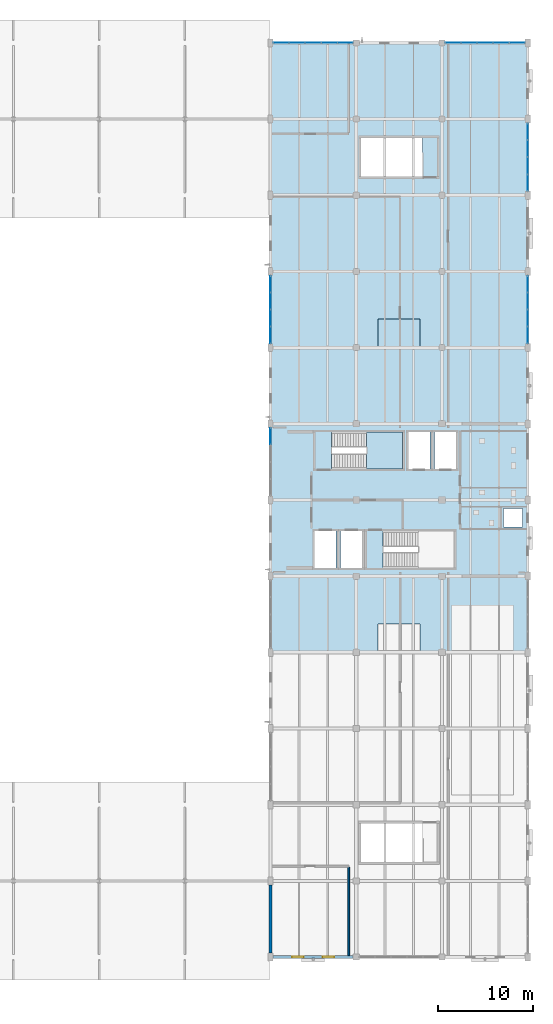
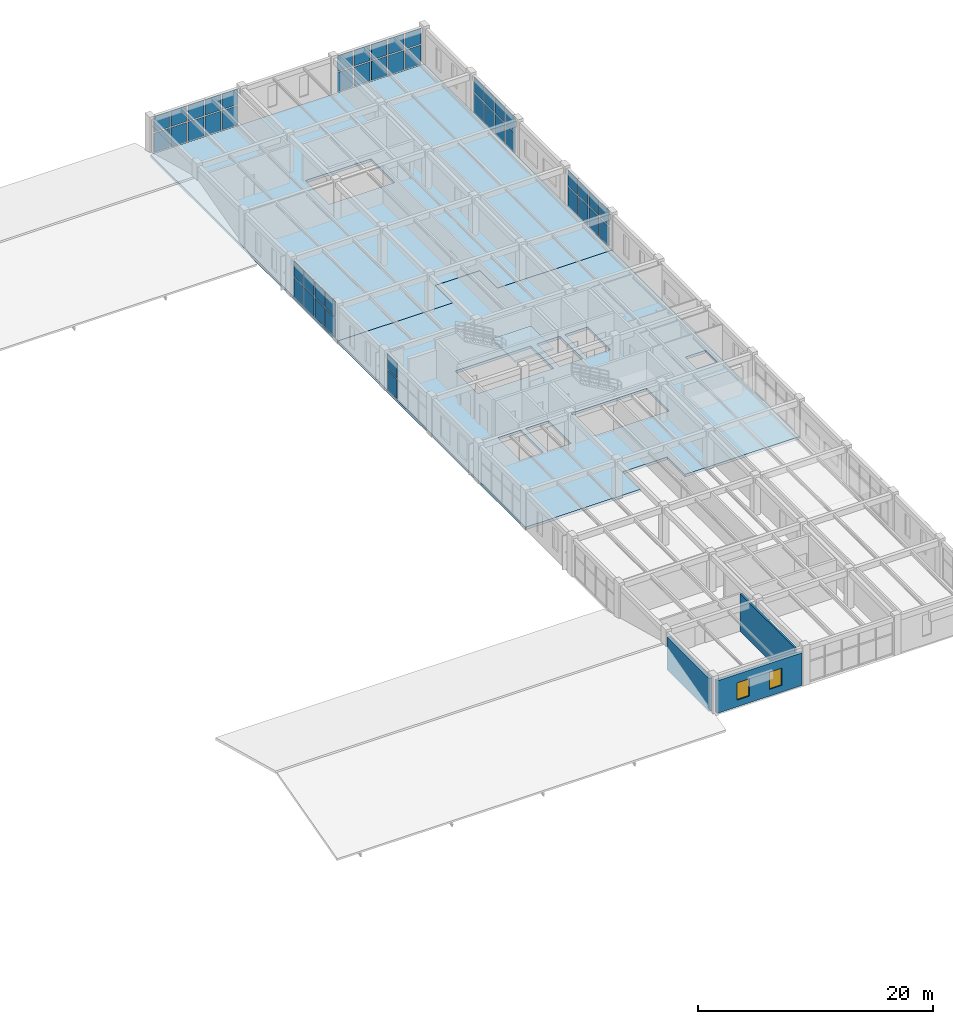
# One storey, part 57 of 71: 46 plates, 3 slabs, 3 walls, 2 windows, 2 openings, 7 elements without a shape of their own.
"""IFC4 building model written with IfcOpenShell, lengths in metres."""

import ifcopenshell
import ifcopenshell.guid

model = None  # the IFC model being written
_history = None  # IfcOwnerHistory: only IFC2X3 demands one
_inside = {}  # id of a spatial element -> (the spatial element, [elements in it])
_under = {}  # id of a project, library or spatial element -> (it, [spatial elements below it])
_declared = {}  # id of a project -> (the project, [libraries it declares])
_typed = {}  # id of a type object -> (the type object, [elements of that type])
_made_of = {}  # id of a material, layer set ... -> (it, [elements and type objects made of it])


def new_model(schema):
    """Start an empty IFC model of exactly this schema.

    Asked for "IFC4X3", IfcOpenShell would pick the latest addendum, in which some entities
    have other attributes; the version numbers below select the first issue.
    IFC2X3 requires an IfcOwnerHistory on every rooted entity: one is made here for all.
    """
    global model, _history
    if schema == "IFC4X3":
        model = ifcopenshell.file(schema_version=(4, 3, 0, 0))
    else:
        model = ifcopenshell.file(schema=schema)
    _inside.clear()
    _under.clear()
    _declared.clear()
    _typed.clear()
    _made_of.clear()
    _history = None
    if model.schema == "IFC2X3":
        org = make("IfcOrganization", Name="unknown")
        user = make(
            "IfcPersonAndOrganization",
            ThePerson=make("IfcPerson", FamilyName="unknown"),
            TheOrganization=org,
        )
        app = make(
            "IfcApplication",
            ApplicationDeveloper=org,
            Version="unknown",
            ApplicationFullName="unknown",
            ApplicationIdentifier="unknown",
        )
        _history = make(
            "IfcOwnerHistory",
            OwningUser=user,
            OwningApplication=app,
            ChangeAction="ADDED",
            CreationDate=0,
        )
    return model


def make(cls, **values):
    """One entity of the class cls with the attributes given. An attribute that is None is left unset."""
    return model.create_entity(
        cls, **{name: value for name, value in values.items() if value is not None}
    )


def rooted(cls, **values):
    """An entity with a GlobalId (a new one), such as an element, a storey or a relation."""
    return make(cls, GlobalId=ifcopenshell.guid.new(), OwnerHistory=_history, **values)


def si_unit(unit_type, name, prefix=None):
    """IfcSIUnit, for example si_unit("LENGTHUNIT", "METRE", prefix="MILLI")."""
    return make("IfcSIUnit", UnitType=unit_type, Prefix=prefix, Name=name)


def derived_unit(unit_type, elements):
    """IfcDerivedUnit: a product of units, each with its exponent."""
    return make(
        "IfcDerivedUnit",
        Elements=[
            make("IfcDerivedUnitElement", Unit=unit, Exponent=power)
            for unit, power in elements
        ],
        UnitType=unit_type,
    )


def assignment(units):
    """IfcUnitAssignment: the units of a project."""
    return None if units is None else make("IfcUnitAssignment", Units=units)


def point(xyz):
    """IfcCartesianPoint."""
    return None if xyz is None else make("IfcCartesianPoint", Coordinates=xyz)


def direction(xyz):
    """IfcDirection."""
    return None if xyz is None else make("IfcDirection", DirectionRatios=xyz)


def frame(location, z_axis=None, x_axis=None):
    """IfcAxis2Placement3D, a coordinate frame: its origin and axes. An axis left out is left unset."""
    return make(
        "IfcAxis2Placement3D",
        Location=point(location),
        Axis=direction(z_axis),
        RefDirection=direction(x_axis),
    )


def frame_2d(location, x_axis=None):
    """IfcAxis2Placement2D, a coordinate frame in the plane: its origin and x axis."""
    return make(
        "IfcAxis2Placement2D", Location=point(location), RefDirection=direction(x_axis)
    )


def origin():
    """The frame at (0, 0, 0) with its axes left unset."""
    return frame((0.0, 0.0, 0.0))


def origin_2d():
    """The frame at (0, 0) in the plane with its x axis left unset."""
    return frame_2d((0.0, 0.0))


def place(relative_to, where):
    """IfcLocalPlacement: puts the frame where relative to a parent placement (None: the world)."""
    return make(
        "IfcLocalPlacement", PlacementRelTo=relative_to, RelativePlacement=where
    )


def context(
    kind, dimensions, precision=None, world=None, true_north=None, identifier=None
):
    """IfcGeometricRepresentationContext, for example the 3D "Model" context."""
    return make(
        "IfcGeometricRepresentationContext",
        ContextIdentifier=identifier,
        ContextType=kind,
        CoordinateSpaceDimension=dimensions,
        Precision=precision,
        WorldCoordinateSystem=world,
        TrueNorth=true_north,
    )


def subcontext(parent, identifier, kind, view, scale=None):
    """IfcGeometricRepresentationSubContext, for example "Body" below "Model"."""
    return make(
        "IfcGeometricRepresentationSubContext",
        ContextIdentifier=identifier,
        ContextType=kind,
        ParentContext=parent,
        TargetScale=scale,
        TargetView=view,
    )


def project(units=None, contexts=None):
    """IfcProject with its units and contexts."""
    return rooted(
        "IfcProject",
        Name="project",
        RepresentationContexts=contexts,
        UnitsInContext=assignment(units),
    )


def spatial(cls, under=None, at=None, **own):
    """A site, building, storey or space (cls), placed at a placement, below another one or the project."""
    s = rooted(cls, ObjectPlacement=at, **own)
    if under is not None:
        _under.setdefault(under.id(), (under, []))[1].append(s)
    return s


def polyline(points):
    """IfcPolyline through the points."""
    return make("IfcPolyline", Points=[point(p) for p in points])


def profile(cls, at=None, kind="AREA", **sizes):
    """A parametric profile (cls). Its sizes go by their IFC names, for example OverallWidth=200.0."""
    return make(cls, ProfileType=kind, Position=at, **sizes)


def rectangle(**sizes):
    """IfcRectangleProfileDef."""
    return profile("IfcRectangleProfileDef", **sizes)


def outline(outer, holes=None, kind="AREA"):
    """IfcArbitraryClosedProfileDef: a profile drawn as a closed curve; with holes, ...WithVoids."""
    if holes is None:
        return make("IfcArbitraryClosedProfileDef", ProfileType=kind, OuterCurve=outer)
    return make(
        "IfcArbitraryProfileDefWithVoids",
        ProfileType=kind,
        OuterCurve=outer,
        InnerCurves=holes,
    )


def extrude(swept, where, along, depth):
    """IfcExtrudedAreaSolid: the profile swept, set in the frame where, extruded along a direction by depth."""
    return make(
        "IfcExtrudedAreaSolid",
        SweptArea=swept,
        Position=where,
        ExtrudedDirection=direction(along),
        Depth=depth,
    )


def shape(context_of_items, identifier, shape_type, items):
    """IfcShapeRepresentation: the items that make up one representation, for example the "Body"."""
    return make(
        "IfcShapeRepresentation",
        ContextOfItems=context_of_items,
        RepresentationIdentifier=identifier,
        RepresentationType=shape_type,
        Items=items,
    )


def material(Name=None, Category=None):
    """IfcMaterial."""
    return make("IfcMaterial", Name=Name, Category=Category)


def layer(
    of_material, thickness, ventilated=None, Name=None, Category=None, Priority=None
):
    """IfcMaterialLayer: one layer of a wall or slab, of a material (None: an air gap)."""
    return make(
        "IfcMaterialLayer",
        Material=of_material,
        LayerThickness=thickness,
        IsVentilated=ventilated,
        Name=Name,
        Category=Category,
        Priority=Priority,
    )


def layer_set(layers, Name=None):
    """IfcMaterialLayerSet."""
    return make("IfcMaterialLayerSet", MaterialLayers=layers, LayerSetName=Name)


def made_of(thing, what):
    """Note that an element or type object is made of a material, layer set ...; save() writes the relation."""
    if what is not None:
        _made_of.setdefault(what.id(), (what, []))[1].append(thing)
    return thing


def type_object(cls, material=None, **own):
    """A type object (cls), such as IfcWallType, which elements share."""
    return made_of(rooted(cls, **own), material)


def element(
    cls,
    number,
    at=None,
    inside=None,
    cuts=None,
    type_object=None,
    material=None,
    context=None,
    identifier="Body",
    shape_type=None,
    held_by="IfcProductDefinitionShape",
    body=None,
    shapes=None,
    **own,
):
    """One element of the class cls, such as IfcWall. Its Tag is "e" and its number.

    at: its placement. inside: the storey or other place that contains it. cuts: it is an
    opening in that element (IfcRelVoidsElement). A single representation is given by context,
    identifier, shape_type and body (its items); several are given by shapes. held_by: the class
    of the entity that holds the representations. save() writes the other relations.
    """
    e = rooted(cls, Tag="e%d" % number, ObjectPlacement=at, **own)
    if body is not None:
        shapes = [shape(context, identifier, shape_type, body)]
    if shapes is not None:
        e.Representation = make(held_by, Representations=shapes)
    if inside is not None:
        _inside.setdefault(inside.id(), (inside, []))[1].append(e)
    if cuts is not None:
        rooted(
            "IfcRelVoidsElement", RelatingBuildingElement=cuts, RelatedOpeningElement=e
        )
    if type_object is not None:
        _typed.setdefault(type_object.id(), (type_object, []))[1].append(e)
    return made_of(e, material)


def fill(opening, filler):
    """IfcRelFillsElement: the door or window that sits in an opening."""
    return rooted(
        "IfcRelFillsElement",
        RelatingOpeningElement=opening,
        RelatedBuildingElement=filler,
    )


def aggregate(whole, parts):
    """IfcRelAggregates: a whole, such as a stair, and the parts it consists of."""
    return rooted("IfcRelAggregates", RelatingObject=whole, RelatedObjects=parts)


def save(model, path):
    """Write the relations noted so far, then the file.

    IfcRelAggregates (storeys below a building ...), IfcRelContainedInSpatialStructure (elements
    in a storey), IfcRelDefinesByType, IfcRelAssociatesMaterial and IfcRelDeclares: one each for
    every whole, place, type object, material and project.
    """
    for whole, parts in _under.values():
        aggregate(whole, parts)
    for where, things in _inside.values():
        rooted(
            "IfcRelContainedInSpatialStructure",
            RelatedElements=things,
            RelatingStructure=where,
        )
    for kind, things in _typed.values():
        rooted("IfcRelDefinesByType", RelatedObjects=things, RelatingType=kind)
    for what, things in _made_of.values():
        rooted("IfcRelAssociatesMaterial", RelatedObjects=things, RelatingMaterial=what)
    for by, libraries in _declared.values():
        rooted("IfcRelDeclares", RelatingContext=by, RelatedDefinitions=libraries)
    model.write(path)


model = new_model("IFC4")

# Units and contexts
model_context = context("Model", 3, precision=1e-05, world=origin(), true_north=direction((0.0, 1.0)))
body_context = subcontext(model_context, "Body", "Model", "MODEL_VIEW")
ifc_project = project(units=[si_unit("LENGTHUNIT", "METRE"), si_unit("AREAUNIT", "SQUARE_METRE"), si_unit("VOLUMEUNIT", "CUBIC_METRE"), si_unit("PLANEANGLEUNIT", "RADIAN"), si_unit("MASSUNIT", "GRAM", prefix="KILO"), derived_unit("THERMALTRANSMITTANCEUNIT", [(si_unit("MASSUNIT", "GRAM", prefix="KILO"), 1), (si_unit("TIMEUNIT", "SECOND"), -3), (si_unit("THERMODYNAMICTEMPERATUREUNIT", "KELVIN"), -1)])], contexts=[model_context])

# Site, building, storey
site_placement = place(None, origin())
site = spatial("IfcSite", under=ifc_project, at=site_placement, CompositionType="ELEMENT")
building_placement = place(site_placement, origin())
building = spatial("IfcBuilding", under=site, at=building_placement, Name="Zhenchuan Archway Interchange", CompositionType="ELEMENT")
storey_placement = place(building_placement, frame((0.0, 0.0, 18.60009765625)))
storey = spatial("IfcBuildingStorey", under=building, at=storey_placement, Name="L04", CompositionType="ELEMENT", Elevation=18.60009765625)

# Curtain wall, plates
ifc_material_1 = material(Name="Anodised Aluminium", Category="aluminium")
curtain_wall_type_1 = type_object("IfcCurtainWallType", Name="CW_UNIT_2", PredefinedType="NOTDEFINED", material=ifc_material_1)
curtain_wall_1_placement = place(storey_placement, origin())
curtain_wall_1 = element("IfcCurtainWall", 1, at=curtain_wall_1_placement, inside=storey, type_object=curtain_wall_type_1, Name="Unitised curtain wall CW:L04:193", PredefinedType="NOTDEFINED")
ifc_material_2 = material(Name="Double Low-E Insulated Glazing", Category="glass")
ifc_layer_1 = layer(ifc_material_2, 0.028076171875)
ifc_layer_set_1 = layer_set([ifc_layer_1], Name="Double Low-E Insulated Glazing")
plate_type_1 = type_object("IfcPlateType", Name="CW_GLZ_1", PredefinedType="CURTAIN_PANEL", material=ifc_layer_set_1)
plate_1_placement = place(storey_placement, frame((145.099365234375, 104.0, 0.079833984375), z_axis=(0.0, 0.0, 1.0), x_axis=(1.0, 0.0, 0.0)))
plate_1 = element("IfcPlate", 2, at=plate_1_placement, type_object=plate_type_1, Name="CW:L04:193 lower glazing panel 0", PredefinedType="CURTAIN_PANEL", context=body_context, shape_type="SweptSolid", body=[
    extrude(rectangle(XDim=1.53271484375, YDim=0.028076171875, at=origin_2d()), origin(), (0.0, 0.0, 1.0), 2.01611328125),
])
plate_2_placement = place(storey_placement, frame((146.7822265625, 104.0, 0.079833984375), z_axis=(0.0, 0.0, 1.0), x_axis=(1.0, 0.0, 0.0)))
plate_2 = element("IfcPlate", 3, at=plate_2_placement, type_object=plate_type_1, Name="CW:L04:193 lower glazing panel 1", PredefinedType="CURTAIN_PANEL", context=body_context, shape_type="SweptSolid", body=[
    extrude(rectangle(XDim=1.552734375, YDim=0.028076171875, at=origin_2d()), origin(), (0.0, 0.0, 1.0), 2.01611328125),
])
plate_3_placement = place(storey_placement, frame((148.47509765625, 104.0, 0.079833984375), z_axis=(0.0, 0.0, 1.0), x_axis=(1.0, 0.0, 0.0)))
plate_3 = element("IfcPlate", 4, at=plate_3_placement, type_object=plate_type_1, Name="CW:L04:193 lower glazing panel 2", PredefinedType="CURTAIN_PANEL", context=body_context, shape_type="SweptSolid", body=[
    extrude(rectangle(XDim=1.552734375, YDim=0.028076171875, at=origin_2d()), origin(), (0.0, 0.0, 1.0), 2.01611328125),
])
plate_4_placement = place(storey_placement, frame((150.167724609375, 104.0, 0.079833984375), z_axis=(0.0, 0.0, 1.0), x_axis=(1.0, 0.0, 0.0)))
plate_4 = element("IfcPlate", 5, at=plate_4_placement, type_object=plate_type_1, Name="CW:L04:193 lower glazing panel 3", PredefinedType="CURTAIN_PANEL", context=body_context, shape_type="SweptSolid", body=[
    extrude(rectangle(XDim=1.552734375, YDim=0.028076171875, at=origin_2d()), origin(), (0.0, 0.0, 1.0), 2.01611328125),
])
plate_5_placement = place(storey_placement, frame((151.8505859375, 104.0, 0.079833984375), z_axis=(0.0, 0.0, 1.0), x_axis=(1.0, 0.0, 0.0)))
plate_5 = element("IfcPlate", 6, at=plate_5_placement, type_object=plate_type_1, Name="CW:L04:193 lower glazing panel 4", PredefinedType="CURTAIN_PANEL", context=body_context, shape_type="SweptSolid", body=[
    extrude(rectangle(XDim=1.53271484375, YDim=0.028076171875, at=origin_2d()), origin(), (0.0, 0.0, 1.0), 2.01611328125),
])

curtain_wall_type_2 = type_object("IfcCurtainWallType", Name="CW_UNIT_3", PredefinedType="NOTDEFINED", material=ifc_material_1)
curtain_wall_2_placement = place(storey_placement, origin())
curtain_wall_2 = element("IfcCurtainWall", 7, at=curtain_wall_2_placement, inside=storey, type_object=curtain_wall_type_2, Name="Unitised curtain wall CW:L04:194", PredefinedType="NOTDEFINED")
plate_6_placement = place(storey_placement, frame((163.1494140625, 104.0, 0.079833984375), z_axis=(0.0, 0.0, 1.0), x_axis=(1.0, 0.0, 0.0)))
plate_6 = element("IfcPlate", 8, at=plate_6_placement, type_object=plate_type_1, Name="CW:L04:194 lower glazing panel 0", PredefinedType="CURTAIN_PANEL", context=body_context, shape_type="SweptSolid", body=[
    extrude(rectangle(XDim=1.53271484375, YDim=0.028076171875, at=origin_2d()), origin(), (0.0, 0.0, 1.0), 2.01611328125),
])
plate_7_placement = place(storey_placement, frame((164.832275390625, 104.0, 0.079833984375), z_axis=(0.0, 0.0, 1.0), x_axis=(1.0, 0.0, 0.0)))
plate_7 = element("IfcPlate", 9, at=plate_7_placement, type_object=plate_type_1, Name="CW:L04:194 lower glazing panel 1", PredefinedType="CURTAIN_PANEL", context=body_context, shape_type="SweptSolid", body=[
    extrude(rectangle(XDim=1.552734375, YDim=0.028076171875, at=origin_2d()), origin(), (0.0, 0.0, 1.0), 2.01611328125),
])
plate_8_placement = place(storey_placement, frame((166.52490234375, 104.0, 0.079833984375), z_axis=(0.0, 0.0, 1.0), x_axis=(1.0, 0.0, 0.0)))
plate_8 = element("IfcPlate", 10, at=plate_8_placement, type_object=plate_type_1, Name="CW:L04:194 lower glazing panel 2", PredefinedType="CURTAIN_PANEL", context=body_context, shape_type="SweptSolid", body=[
    extrude(rectangle(XDim=1.552734375, YDim=0.028076171875, at=origin_2d()), origin(), (0.0, 0.0, 1.0), 2.01611328125),
])
plate_9_placement = place(storey_placement, frame((168.2177734375, 104.0, 0.079833984375), z_axis=(0.0, 0.0, 1.0), x_axis=(1.0, 0.0, 0.0)))
plate_9 = element("IfcPlate", 11, at=plate_9_placement, type_object=plate_type_1, Name="CW:L04:194 lower glazing panel 3", PredefinedType="CURTAIN_PANEL", context=body_context, shape_type="SweptSolid", body=[
    extrude(rectangle(XDim=1.552734375, YDim=0.028076171875, at=origin_2d()), origin(), (0.0, 0.0, 1.0), 2.01611328125),
])
plate_10_placement = place(storey_placement, frame((169.900634765625, 104.0, 0.079833984375), z_axis=(0.0, 0.0, 1.0), x_axis=(1.0, 0.0, 0.0)))
plate_10 = element("IfcPlate", 12, at=plate_10_placement, type_object=plate_type_1, Name="CW:L04:194 lower glazing panel 4", PredefinedType="CURTAIN_PANEL", context=body_context, shape_type="SweptSolid", body=[
    extrude(rectangle(XDim=1.53271484375, YDim=0.028076171875, at=origin_2d()), origin(), (0.0, 0.0, 1.0), 2.01611328125),
])

# Plate
ifc_layer_2 = layer(ifc_material_2, 0.02587890625)
ifc_layer_set_2 = layer_set([ifc_layer_2], Name="Double Low-E Insulated Glazing")
plate_type_2 = type_object("IfcPlateType", Name="CW_GLZ_2", PredefinedType="CURTAIN_PANEL", material=ifc_layer_set_2)
plate_11_placement = place(storey_placement, frame((145.099365234375, 104.0, 2.2158203125), z_axis=(0.0, 0.0, 1.0), x_axis=(1.0, 0.0, 0.0)))
plate_11 = element("IfcPlate", 13, at=plate_11_placement, type_object=plate_type_2, Name="CW:L04:193 upper glazing panel 0", PredefinedType="CURTAIN_PANEL", context=body_context, shape_type="SweptSolid", body=[
    extrude(rectangle(XDim=1.53271484375, YDim=0.02587890625, at=origin_2d()), origin(), (0.0, 0.0, 1.0), 1.6240234375),
])

plate_12_placement = place(storey_placement, frame((146.7822265625, 104.0, 2.2158203125), z_axis=(0.0, 0.0, 1.0), x_axis=(1.0, 0.0, 0.0)))
plate_12 = element("IfcPlate", 14, at=plate_12_placement, type_object=plate_type_2, Name="CW:L04:193 upper glazing panel 1", PredefinedType="CURTAIN_PANEL", context=body_context, shape_type="SweptSolid", body=[
    extrude(rectangle(XDim=1.552734375, YDim=0.02587890625, at=origin_2d()), origin(), (0.0, 0.0, 1.0), 1.6240234375),
])

plate_13_placement = place(storey_placement, frame((148.47509765625, 104.0, 2.2158203125), z_axis=(0.0, 0.0, 1.0), x_axis=(1.0, 0.0, 0.0)))
plate_13 = element("IfcPlate", 15, at=plate_13_placement, type_object=plate_type_2, Name="CW:L04:193 upper glazing panel 2", PredefinedType="CURTAIN_PANEL", context=body_context, shape_type="SweptSolid", body=[
    extrude(rectangle(XDim=1.552734375, YDim=0.02587890625, at=origin_2d()), origin(), (0.0, 0.0, 1.0), 1.6240234375),
])

plate_14_placement = place(storey_placement, frame((150.167724609375, 104.0, 2.2158203125), z_axis=(0.0, 0.0, 1.0), x_axis=(1.0, 0.0, 0.0)))
plate_14 = element("IfcPlate", 16, at=plate_14_placement, type_object=plate_type_2, Name="CW:L04:193 upper glazing panel 3", PredefinedType="CURTAIN_PANEL", context=body_context, shape_type="SweptSolid", body=[
    extrude(rectangle(XDim=1.552734375, YDim=0.02587890625, at=origin_2d()), origin(), (0.0, 0.0, 1.0), 1.6240234375),
])

plate_15_placement = place(storey_placement, frame((151.8505859375, 104.0, 2.2158203125), z_axis=(0.0, 0.0, 1.0), x_axis=(1.0, 0.0, 0.0)))
plate_15 = element("IfcPlate", 17, at=plate_15_placement, type_object=plate_type_2, Name="CW:L04:193 upper glazing panel 4", PredefinedType="CURTAIN_PANEL", context=body_context, shape_type="SweptSolid", body=[
    extrude(rectangle(XDim=1.53271484375, YDim=0.02587890625, at=origin_2d()), origin(), (0.0, 0.0, 1.0), 1.6240234375),
])

aggregate(curtain_wall_1, [plate_1, plate_11, plate_2, plate_12, plate_3, plate_13, plate_4, plate_14, plate_5, plate_15])

plate_16_placement = place(storey_placement, frame((163.1494140625, 104.0, 2.2158203125), z_axis=(0.0, 0.0, 1.0), x_axis=(1.0, 0.0, 0.0)))
plate_16 = element("IfcPlate", 18, at=plate_16_placement, type_object=plate_type_2, Name="CW:L04:194 upper glazing panel 0", PredefinedType="CURTAIN_PANEL", context=body_context, shape_type="SweptSolid", body=[
    extrude(rectangle(XDim=1.53271484375, YDim=0.02587890625, at=origin_2d()), origin(), (0.0, 0.0, 1.0), 1.6240234375),
])

plate_17_placement = place(storey_placement, frame((164.832275390625, 104.0, 2.2158203125), z_axis=(0.0, 0.0, 1.0), x_axis=(1.0, 0.0, 0.0)))
plate_17 = element("IfcPlate", 19, at=plate_17_placement, type_object=plate_type_2, Name="CW:L04:194 upper glazing panel 1", PredefinedType="CURTAIN_PANEL", context=body_context, shape_type="SweptSolid", body=[
    extrude(rectangle(XDim=1.552734375, YDim=0.02587890625, at=origin_2d()), origin(), (0.0, 0.0, 1.0), 1.6240234375),
])

plate_18_placement = place(storey_placement, frame((166.52490234375, 104.0, 2.2158203125), z_axis=(0.0, 0.0, 1.0), x_axis=(1.0, 0.0, 0.0)))
plate_18 = element("IfcPlate", 20, at=plate_18_placement, type_object=plate_type_2, Name="CW:L04:194 upper glazing panel 2", PredefinedType="CURTAIN_PANEL", context=body_context, shape_type="SweptSolid", body=[
    extrude(rectangle(XDim=1.552734375, YDim=0.02587890625, at=origin_2d()), origin(), (0.0, 0.0, 1.0), 1.6240234375),
])

plate_19_placement = place(storey_placement, frame((168.2177734375, 104.0, 2.2158203125), z_axis=(0.0, 0.0, 1.0), x_axis=(1.0, 0.0, 0.0)))
plate_19 = element("IfcPlate", 21, at=plate_19_placement, type_object=plate_type_2, Name="CW:L04:194 upper glazing panel 3", PredefinedType="CURTAIN_PANEL", context=body_context, shape_type="SweptSolid", body=[
    extrude(rectangle(XDim=1.552734375, YDim=0.02587890625, at=origin_2d()), origin(), (0.0, 0.0, 1.0), 1.6240234375),
])

plate_20_placement = place(storey_placement, frame((169.900634765625, 104.0, 2.2158203125), z_axis=(0.0, 0.0, 1.0), x_axis=(1.0, 0.0, 0.0)))
plate_20 = element("IfcPlate", 22, at=plate_20_placement, type_object=plate_type_2, Name="CW:L04:194 upper glazing panel 4", PredefinedType="CURTAIN_PANEL", context=body_context, shape_type="SweptSolid", body=[
    extrude(rectangle(XDim=1.53271484375, YDim=0.02587890625, at=origin_2d()), origin(), (0.0, 0.0, 1.0), 1.6240234375),
])

aggregate(curtain_wall_2, [plate_6, plate_16, plate_7, plate_17, plate_8, plate_18, plate_9, plate_19, plate_10, plate_20])

# Curtain wall, plate
curtain_wall_type_3 = type_object("IfcCurtainWallType", Name="CW_UNIT_4", PredefinedType="NOTDEFINED", material=ifc_material_1)
curtain_wall_3_placement = place(storey_placement, origin())
curtain_wall_3 = element("IfcCurtainWall", 23, at=curtain_wall_3_placement, inside=storey, type_object=curtain_wall_type_3, Name="Unitised curtain wall CW:L04:191", PredefinedType="NOTDEFINED")
ifc_layer_3 = layer(ifc_material_2, 0.030029296875)
ifc_layer_set_3 = layer_set([ifc_layer_3], Name="Double Low-E Insulated Glazing")
plate_type_3 = type_object("IfcPlateType", Name="CW_GLZ_3", PredefinedType="CURTAIN_PANEL", material=ifc_layer_set_3)
plate_21_placement = place(storey_placement, frame((144.0, 62.6953125, 0.079833984375), z_axis=(0.0, 0.0, 1.0), x_axis=(0.0, 1.0, 0.0)))
plate_21 = element("IfcPlate", 24, at=plate_21_placement, type_object=plate_type_3, Name="CW:L04:191 lower glazing panel 3", PredefinedType="CURTAIN_PANEL", context=body_context, shape_type="SweptSolid", body=[
    extrude(rectangle(XDim=1.6435546875, YDim=0.028076171875, at=origin_2d()), origin(), (0.0, 0.0, 1.0), 2.01611328125),
])

# Curtain wall, plates
curtain_wall_type_4 = type_object("IfcCurtainWallType", Name="CW_UNIT_1", PredefinedType="NOTDEFINED", material=ifc_material_1)
curtain_wall_4_placement = place(storey_placement, origin())
curtain_wall_4 = element("IfcCurtainWall", 25, at=curtain_wall_4_placement, inside=storey, type_object=curtain_wall_type_4, Name="Unitised curtain wall CW:L04:192", PredefinedType="NOTDEFINED")
plate_22_placement = place(storey_placement, frame((144.0, 73.3046875, 0.079833984375), z_axis=(0.0, 0.0, 1.0), x_axis=(0.0, 1.0, 0.0)))
plate_22 = element("IfcPlate", 26, at=plate_22_placement, type_object=plate_type_3, Name="CW:L04:192 lower glazing panel 0", PredefinedType="CURTAIN_PANEL", context=body_context, shape_type="SweptSolid", body=[
    extrude(rectangle(XDim=1.6435546875, YDim=0.028076171875, at=origin_2d()), origin(), (0.0, 0.0, 1.0), 2.01611328125),
])
plate_23_placement = place(storey_placement, frame((144.0, 75.098388671875, 0.079833984375), z_axis=(0.0, 0.0, 1.0), x_axis=(0.0, 1.0, 0.0)))
plate_23 = element("IfcPlate", 27, at=plate_23_placement, type_object=plate_type_3, Name="CW:L04:192 lower glazing panel 1", PredefinedType="CURTAIN_PANEL", context=body_context, shape_type="SweptSolid", body=[
    extrude(rectangle(XDim=1.66357421875, YDim=0.028076171875, at=origin_2d()), origin(), (0.0, 0.0, 1.0), 2.01611328125),
])
plate_24_placement = place(storey_placement, frame((144.0, 76.901611328125, 0.079833984375), z_axis=(0.0, 0.0, 1.0), x_axis=(0.0, 1.0, 0.0)))
plate_24 = element("IfcPlate", 28, at=plate_24_placement, type_object=plate_type_3, Name="CW:L04:192 lower glazing panel 2", PredefinedType="CURTAIN_PANEL", context=body_context, shape_type="SweptSolid", body=[
    extrude(rectangle(XDim=1.66357421875, YDim=0.028076171875, at=origin_2d()), origin(), (0.0, 0.0, 1.0), 2.01611328125),
])
plate_25_placement = place(storey_placement, frame((144.0, 78.6953125, 0.079833984375), z_axis=(0.0, 0.0, 1.0), x_axis=(0.0, 1.0, 0.0)))
plate_25 = element("IfcPlate", 29, at=plate_25_placement, type_object=plate_type_3, Name="CW:L04:192 lower glazing panel 3", PredefinedType="CURTAIN_PANEL", context=body_context, shape_type="SweptSolid", body=[
    extrude(rectangle(XDim=1.6435546875, YDim=0.028076171875, at=origin_2d()), origin(), (0.0, 0.0, 1.0), 2.01611328125),
])

curtain_wall_5_placement = place(storey_placement, origin())
curtain_wall_5 = element("IfcCurtainWall", 30, at=curtain_wall_5_placement, inside=storey, type_object=curtain_wall_type_3, Name="Unitised curtain wall CW:L04:195", PredefinedType="NOTDEFINED")
plate_26_placement = place(storey_placement, frame((171.0, 94.6953125, 0.079833984375), z_axis=(0.0, 0.0, 1.0), x_axis=(0.0, -1.0, 0.0)))
plate_26 = element("IfcPlate", 31, at=plate_26_placement, type_object=plate_type_3, Name="CW:L04:195 lower glazing panel 0", PredefinedType="CURTAIN_PANEL", context=body_context, shape_type="SweptSolid", body=[
    extrude(rectangle(XDim=1.6435546875, YDim=0.028076171875, at=origin_2d()), origin(), (0.0, 0.0, 1.0), 2.01611328125),
])
plate_27_placement = place(storey_placement, frame((171.0, 92.901611328125, 0.079833984375), z_axis=(0.0, 0.0, 1.0), x_axis=(0.0, -1.0, 0.0)))
plate_27 = element("IfcPlate", 32, at=plate_27_placement, type_object=plate_type_3, Name="CW:L04:195 lower glazing panel 1", PredefinedType="CURTAIN_PANEL", context=body_context, shape_type="SweptSolid", body=[
    extrude(rectangle(XDim=1.66357421875, YDim=0.028076171875, at=origin_2d()), origin(), (0.0, 0.0, 1.0), 2.01611328125),
])
plate_28_placement = place(storey_placement, frame((171.0, 91.098388671875, 0.079833984375), z_axis=(0.0, 0.0, 1.0), x_axis=(0.0, -1.0, 0.0)))
plate_28 = element("IfcPlate", 33, at=plate_28_placement, type_object=plate_type_3, Name="CW:L04:195 lower glazing panel 2", PredefinedType="CURTAIN_PANEL", context=body_context, shape_type="SweptSolid", body=[
    extrude(rectangle(XDim=1.66357421875, YDim=0.028076171875, at=origin_2d()), origin(), (0.0, 0.0, 1.0), 2.01611328125),
])
plate_29_placement = place(storey_placement, frame((171.0, 89.3046875, 0.079833984375), z_axis=(0.0, 0.0, 1.0), x_axis=(0.0, -1.0, 0.0)))
plate_29 = element("IfcPlate", 34, at=plate_29_placement, type_object=plate_type_3, Name="CW:L04:195 lower glazing panel 3", PredefinedType="CURTAIN_PANEL", context=body_context, shape_type="SweptSolid", body=[
    extrude(rectangle(XDim=1.6435546875, YDim=0.028076171875, at=origin_2d()), origin(), (0.0, 0.0, 1.0), 2.01611328125),
])

curtain_wall_6_placement = place(storey_placement, origin())
curtain_wall_6 = element("IfcCurtainWall", 35, at=curtain_wall_6_placement, inside=storey, type_object=curtain_wall_type_4, Name="Unitised curtain wall CW:L04:196", PredefinedType="NOTDEFINED")
plate_30_placement = place(storey_placement, frame((171.0, 78.6953125, 0.079833984375), z_axis=(0.0, 0.0, 1.0), x_axis=(0.0, -1.0, 0.0)))
plate_30 = element("IfcPlate", 36, at=plate_30_placement, type_object=plate_type_3, Name="CW:L04:196 lower glazing panel 0", PredefinedType="CURTAIN_PANEL", context=body_context, shape_type="SweptSolid", body=[
    extrude(rectangle(XDim=1.6435546875, YDim=0.028076171875, at=origin_2d()), origin(), (0.0, 0.0, 1.0), 2.01611328125),
])
plate_31_placement = place(storey_placement, frame((171.0, 76.901611328125, 0.079833984375), z_axis=(0.0, 0.0, 1.0), x_axis=(0.0, -1.0, 0.0)))
plate_31 = element("IfcPlate", 37, at=plate_31_placement, type_object=plate_type_3, Name="CW:L04:196 lower glazing panel 1", PredefinedType="CURTAIN_PANEL", context=body_context, shape_type="SweptSolid", body=[
    extrude(rectangle(XDim=1.66357421875, YDim=0.028076171875, at=origin_2d()), origin(), (0.0, 0.0, 1.0), 2.01611328125),
])
plate_32_placement = place(storey_placement, frame((171.0, 75.098388671875, 0.079833984375), z_axis=(0.0, 0.0, 1.0), x_axis=(0.0, -1.0, 0.0)))
plate_32 = element("IfcPlate", 38, at=plate_32_placement, type_object=plate_type_3, Name="CW:L04:196 lower glazing panel 2", PredefinedType="CURTAIN_PANEL", context=body_context, shape_type="SweptSolid", body=[
    extrude(rectangle(XDim=1.66357421875, YDim=0.028076171875, at=origin_2d()), origin(), (0.0, 0.0, 1.0), 2.01611328125),
])
plate_33_placement = place(storey_placement, frame((171.0, 73.3046875, 0.079833984375), z_axis=(0.0, 0.0, 1.0), x_axis=(0.0, -1.0, 0.0)))
plate_33 = element("IfcPlate", 39, at=plate_33_placement, type_object=plate_type_3, Name="CW:L04:196 lower glazing panel 3", PredefinedType="CURTAIN_PANEL", context=body_context, shape_type="SweptSolid", body=[
    extrude(rectangle(XDim=1.6435546875, YDim=0.028076171875, at=origin_2d()), origin(), (0.0, 0.0, 1.0), 2.01611328125),
])

# Plate
ifc_layer_4 = layer(ifc_material_2, 0.02392578125)
ifc_layer_set_4 = layer_set([ifc_layer_4], Name="Double Low-E Insulated Glazing")
plate_type_4 = type_object("IfcPlateType", Name="CW_GLZ_4", PredefinedType="CURTAIN_PANEL", material=ifc_layer_set_4)
plate_34_placement = place(storey_placement, frame((144.0, 62.6953125, 2.2158203125), z_axis=(0.0, 0.0, 1.0), x_axis=(0.0, 1.0, 0.0)))
plate_34 = element("IfcPlate", 40, at=plate_34_placement, type_object=plate_type_4, Name="CW:L04:191 upper glazing panel 3", PredefinedType="CURTAIN_PANEL", context=body_context, shape_type="SweptSolid", body=[
    extrude(rectangle(XDim=1.6435546875, YDim=0.02587890625, at=origin_2d()), origin(), (0.0, 0.0, 1.0), 1.6240234375),
])

aggregate(curtain_wall_3, [plate_21, plate_34])

plate_35_placement = place(storey_placement, frame((144.0, 73.3046875, 2.2158203125), z_axis=(0.0, 0.0, 1.0), x_axis=(0.0, 1.0, 0.0)))
plate_35 = element("IfcPlate", 41, at=plate_35_placement, type_object=plate_type_4, Name="CW:L04:192 upper glazing panel 0", PredefinedType="CURTAIN_PANEL", context=body_context, shape_type="SweptSolid", body=[
    extrude(rectangle(XDim=1.6435546875, YDim=0.02587890625, at=origin_2d()), origin(), (0.0, 0.0, 1.0), 1.6240234375),
])

plate_36_placement = place(storey_placement, frame((144.0, 75.098388671875, 2.2158203125), z_axis=(0.0, 0.0, 1.0), x_axis=(0.0, 1.0, 0.0)))
plate_36 = element("IfcPlate", 42, at=plate_36_placement, type_object=plate_type_4, Name="CW:L04:192 upper glazing panel 1", PredefinedType="CURTAIN_PANEL", context=body_context, shape_type="SweptSolid", body=[
    extrude(rectangle(XDim=1.66357421875, YDim=0.02587890625, at=origin_2d()), origin(), (0.0, 0.0, 1.0), 1.6240234375),
])

plate_37_placement = place(storey_placement, frame((144.0, 76.901611328125, 2.2158203125), z_axis=(0.0, 0.0, 1.0), x_axis=(0.0, 1.0, 0.0)))
plate_37 = element("IfcPlate", 43, at=plate_37_placement, type_object=plate_type_4, Name="CW:L04:192 upper glazing panel 2", PredefinedType="CURTAIN_PANEL", context=body_context, shape_type="SweptSolid", body=[
    extrude(rectangle(XDim=1.66357421875, YDim=0.02587890625, at=origin_2d()), origin(), (0.0, 0.0, 1.0), 1.6240234375),
])

plate_38_placement = place(storey_placement, frame((144.0, 78.6953125, 2.2158203125), z_axis=(0.0, 0.0, 1.0), x_axis=(0.0, 1.0, 0.0)))
plate_38 = element("IfcPlate", 44, at=plate_38_placement, type_object=plate_type_4, Name="CW:L04:192 upper glazing panel 3", PredefinedType="CURTAIN_PANEL", context=body_context, shape_type="SweptSolid", body=[
    extrude(rectangle(XDim=1.6435546875, YDim=0.02587890625, at=origin_2d()), origin(), (0.0, 0.0, 1.0), 1.6240234375),
])

aggregate(curtain_wall_4, [plate_22, plate_35, plate_23, plate_36, plate_24, plate_37, plate_25, plate_38])

plate_39_placement = place(storey_placement, frame((171.0, 94.6953125, 2.2158203125), z_axis=(0.0, 0.0, 1.0), x_axis=(0.0, -1.0, 0.0)))
plate_39 = element("IfcPlate", 45, at=plate_39_placement, type_object=plate_type_4, Name="CW:L04:195 upper glazing panel 0", PredefinedType="CURTAIN_PANEL", context=body_context, shape_type="SweptSolid", body=[
    extrude(rectangle(XDim=1.6435546875, YDim=0.02587890625, at=origin_2d()), origin(), (0.0, 0.0, 1.0), 1.6240234375),
])

plate_40_placement = place(storey_placement, frame((171.0, 92.901611328125, 2.2158203125), z_axis=(0.0, 0.0, 1.0), x_axis=(0.0, -1.0, 0.0)))
plate_40 = element("IfcPlate", 46, at=plate_40_placement, type_object=plate_type_4, Name="CW:L04:195 upper glazing panel 1", PredefinedType="CURTAIN_PANEL", context=body_context, shape_type="SweptSolid", body=[
    extrude(rectangle(XDim=1.66357421875, YDim=0.02587890625, at=origin_2d()), origin(), (0.0, 0.0, 1.0), 1.6240234375),
])

plate_41_placement = place(storey_placement, frame((171.0, 91.098388671875, 2.2158203125), z_axis=(0.0, 0.0, 1.0), x_axis=(0.0, -1.0, 0.0)))
plate_41 = element("IfcPlate", 47, at=plate_41_placement, type_object=plate_type_4, Name="CW:L04:195 upper glazing panel 2", PredefinedType="CURTAIN_PANEL", context=body_context, shape_type="SweptSolid", body=[
    extrude(rectangle(XDim=1.66357421875, YDim=0.02587890625, at=origin_2d()), origin(), (0.0, 0.0, 1.0), 1.6240234375),
])

plate_42_placement = place(storey_placement, frame((171.0, 89.3046875, 2.2158203125), z_axis=(0.0, 0.0, 1.0), x_axis=(0.0, -1.0, 0.0)))
plate_42 = element("IfcPlate", 48, at=plate_42_placement, type_object=plate_type_4, Name="CW:L04:195 upper glazing panel 3", PredefinedType="CURTAIN_PANEL", context=body_context, shape_type="SweptSolid", body=[
    extrude(rectangle(XDim=1.6435546875, YDim=0.02587890625, at=origin_2d()), origin(), (0.0, 0.0, 1.0), 1.6240234375),
])

aggregate(curtain_wall_5, [plate_26, plate_39, plate_27, plate_40, plate_28, plate_41, plate_29, plate_42])

plate_43_placement = place(storey_placement, frame((171.0, 78.6953125, 2.2158203125), z_axis=(0.0, 0.0, 1.0), x_axis=(0.0, -1.0, 0.0)))
plate_43 = element("IfcPlate", 49, at=plate_43_placement, type_object=plate_type_4, Name="CW:L04:196 upper glazing panel 0", PredefinedType="CURTAIN_PANEL", context=body_context, shape_type="SweptSolid", body=[
    extrude(rectangle(XDim=1.6435546875, YDim=0.02587890625, at=origin_2d()), origin(), (0.0, 0.0, 1.0), 1.6240234375),
])

plate_44_placement = place(storey_placement, frame((171.0, 76.901611328125, 2.2158203125), z_axis=(0.0, 0.0, 1.0), x_axis=(0.0, -1.0, 0.0)))
plate_44 = element("IfcPlate", 50, at=plate_44_placement, type_object=plate_type_4, Name="CW:L04:196 upper glazing panel 1", PredefinedType="CURTAIN_PANEL", context=body_context, shape_type="SweptSolid", body=[
    extrude(rectangle(XDim=1.66357421875, YDim=0.02587890625, at=origin_2d()), origin(), (0.0, 0.0, 1.0), 1.6240234375),
])

plate_45_placement = place(storey_placement, frame((171.0, 75.098388671875, 2.2158203125), z_axis=(0.0, 0.0, 1.0), x_axis=(0.0, -1.0, 0.0)))
plate_45 = element("IfcPlate", 51, at=plate_45_placement, type_object=plate_type_4, Name="CW:L04:196 upper glazing panel 2", PredefinedType="CURTAIN_PANEL", context=body_context, shape_type="SweptSolid", body=[
    extrude(rectangle(XDim=1.66357421875, YDim=0.02587890625, at=origin_2d()), origin(), (0.0, 0.0, 1.0), 1.6240234375),
])

plate_46_placement = place(storey_placement, frame((171.0, 73.3046875, 2.2158203125), z_axis=(0.0, 0.0, 1.0), x_axis=(0.0, -1.0, 0.0)))
plate_46 = element("IfcPlate", 52, at=plate_46_placement, type_object=plate_type_4, Name="CW:L04:196 upper glazing panel 3", PredefinedType="CURTAIN_PANEL", context=body_context, shape_type="SweptSolid", body=[
    extrude(rectangle(XDim=1.6435546875, YDim=0.02587890625, at=origin_2d()), origin(), (0.0, 0.0, 1.0), 1.6240234375),
])

aggregate(curtain_wall_6, [plate_30, plate_43, plate_31, plate_44, plate_32, plate_45, plate_33, plate_46])

# Slabs
ifc_material_3 = material(Name="Concrete C35", Category="concrete")
ifc_layer_5 = layer(ifc_material_3, 0.27001953125)
ifc_layer_set_5 = layer_set([ifc_layer_5], Name="Concrete C35")
slab_type_1 = type_object("IfcSlabType", Name="SLB_FLR_270", PredefinedType="FLOOR", material=ifc_layer_set_5)
slab_1_placement = place(storey_placement, frame((0.0, 0.0, -0.27001953125)))
element("IfcSlab", 53, at=slab_1_placement, inside=storey, type_object=slab_type_1, Name="Structural slab L04 OPS-EM", PredefinedType="FLOOR", context=body_context, shape_type="SweptSolid", body=[
    extrude(outline(polyline([(159.699951171875, 40.0), (159.699951171875, 43.0), (155.300048828125, 43.0), (155.300048828125, 40.0), (144.0, 40.0), (144.0, 72.0), (155.302001953125, 72.0), (155.302001953125, 74.998046875), (159.697998046875, 74.998046875), (159.697998046875, 72.0), (171.0, 72.0), (171.0, 40.0), (159.699951171875, 40.0)]), holes=[polyline([(150.425048828125, 63.125), (150.425048828125, 59.27490234375), (157.875, 59.27490234375), (157.875, 63.125), (150.425048828125, 63.125)]), polyline([(163.27490234375, 52.72509765625), (155.824951171875, 52.72509765625), (155.824951171875, 48.875), (163.27490234375, 48.875), (163.27490234375, 52.72509765625)]), polyline([(160.72998046875, 59.27001953125), (160.72998046875, 63.1298828125), (158.469970703125, 63.1298828125), (158.469970703125, 59.27001953125), (160.72998046875, 59.27001953125)]), polyline([(161.219970703125, 59.27001953125), (163.47998046875, 59.27001953125), (163.47998046875, 63.1298828125), (161.219970703125, 63.1298828125), (161.219970703125, 59.27001953125)]), polyline([(148.6201171875, 52.72998046875), (148.6201171875, 48.8701171875), (150.8798828125, 48.8701171875), (150.8798828125, 52.72998046875), (148.6201171875, 52.72998046875)]), polyline([(153.6201171875, 52.72998046875), (151.360107421875, 52.72998046875), (151.360107421875, 48.8701171875), (153.6201171875, 48.8701171875), (153.6201171875, 52.72998046875)]), polyline([(170.449951171875, 53.14990234375), (170.449951171875, 55.10009765625), (168.449951171875, 55.10009765625), (168.449951171875, 53.14990234375), (170.449951171875, 53.14990234375)])]), origin(), (0.0, 0.0, 1.0), 0.27001953125),
])
slab_2_placement = place(storey_placement, frame((0.0, 0.0, -0.27001953125)))
element("IfcSlab", 54, at=slab_2_placement, inside=storey, type_object=slab_type_1, Name="Structural slab L04 OPS-EN", PredefinedType="FLOOR", context=body_context, shape_type="SweptSolid", body=[
    extrude(outline(polyline([(144.0, 104.0), (171.0, 104.0), (171.0, 72.0), (159.699951171875, 72.0), (159.699951171875, 75.0), (155.300048828125, 75.0), (155.300048828125, 72.0), (144.0, 72.0), (144.0, 104.0)]), holes=[polyline([(159.97509765625, 89.97509765625), (159.97509765625, 94.02490234375), (153.5048828125, 94.02490234375), (153.5048828125, 89.97509765625), (159.97509765625, 89.97509765625)])]), origin(), (0.0, 0.0, 1.0), 0.27001953125),
])

# Stair, slab
stair_type = type_object("IfcStairType", Name="STR_HALF_1550", PredefinedType="HALF_TURN_STAIR", material=ifc_material_3)
stair_placement = place(storey_placement, origin())
stair = element("IfcStair", 55, at=stair_placement, inside=storey, type_object=stair_type, Name="Stair ST-O1 (L04)", PredefinedType="HALF_TURN_STAIR")
ifc_layer_6 = layer(ifc_material_3, 0.199951171875)
ifc_layer_set_6 = layer_set([ifc_layer_6], Name="Concrete C35")
slab_type_2 = type_object("IfcSlabType", Name="SLB_LANDING_200", PredefinedType="LANDING", material=ifc_layer_set_6)
slab_3_placement = place(storey_placement, frame((0.0, 0.0, 1.89990234375)))
slab_3 = element("IfcSlab", 56, at=slab_3_placement, type_object=slab_type_2, Name="Stair ST-O1 half-landing (L04)", PredefinedType="LANDING", context=body_context, shape_type="SweptSolid", body=[
    extrude(outline(polyline([(154.0849609375, 59.27294921875), (157.876953125, 59.27294921875), (157.876953125, 63.126953125), (154.0849609375, 63.126953125), (154.0849609375, 59.27294921875)])), origin(), (0.0, 0.0, 1.0), 0.199951171875),
])
aggregate(stair, [slab_3])

# Wall, openings, windows
ifc_material_4 = material(Name="Terracotta Masonry", Category="masonry")
ifc_layer_7 = layer(ifc_material_4, 0.300048828125)
ifc_layer_set_7 = layer_set([ifc_layer_7], Name="Terracotta Masonry")
wall_type_1 = type_object("IfcWallType", Name="EW_TERRA_300", PredefinedType="STANDARD", material=ifc_layer_set_7)
wall_1_placement = place(storey_placement, frame((152.677001953125, 8.0, 0.0), z_axis=(0.0, 0.0, 1.0), x_axis=(-1.0, 0.0, 0.0)))
wall_1 = element("IfcWall", 57, at=wall_1_placement, inside=storey, type_object=wall_type_1, Name="Exterior wall L04-003", PredefinedType="STANDARD", context=body_context, shape_type="SweptSolid", body=[
    extrude(rectangle(XDim=8.404052734375, YDim=0.300048828125, at=frame_2d((4.2021484375, 0.0))), origin(), (0.0, 0.0, 1.0), 3.389892578125),
])
opening_1_placement = place(wall_1_placement, frame((2.001220703125, 0.0, 0.699951171875)))
opening_1 = element("IfcOpeningElement", 58, at=opening_1_placement, cuts=wall_1, Name="Opening W-07", PredefinedType="OPENING", context=body_context, shape_type="SweptSolid", body=[
    extrude(rectangle(XDim=1.199951171875, YDim=1.800048828125, at=frame_2d((0.60009765625, 0.89990234375))), frame((0.0, 0.162109375, 0.0), z_axis=(0.0, -1.0, 0.0), x_axis=(1.0, 0.0, 0.0)), (0.0, 0.0, 1.0), 0.323974609375),
])
opening_2_placement = place(wall_1_placement, frame((5.20263671875, 0.0, 0.699951171875)))
opening_2 = element("IfcOpeningElement", 59, at=opening_2_placement, cuts=wall_1, Name="Opening W-07", PredefinedType="OPENING", context=body_context, shape_type="SweptSolid", body=[
    extrude(rectangle(XDim=1.199951171875, YDim=1.800048828125, at=frame_2d((0.60009765625, 0.89990234375))), frame((0.0, 0.162109375, 0.0), z_axis=(0.0, -1.0, 0.0), x_axis=(1.0, 0.0, 0.0)), (0.0, 0.0, 1.0), 0.323974609375),
])
window_type = type_object("IfcWindowType", Name="WN_MOD_1200x1800", PartitioningType="SINGLE_PANEL", PredefinedType="WINDOW", material=ifc_material_2)
window_1_placement = place(opening_1_placement, origin())
window_1 = element("IfcWindow", 60, at=window_1_placement, inside=storey, type_object=window_type, Name="Window L04-0312", OverallHeight=1.800048828125, OverallWidth=1.199951171875, PartitioningType="SINGLE_PANEL", PredefinedType="WINDOW", context=body_context, shape_type="SweptSolid", body=[
    extrude(rectangle(XDim=1.199951171875, YDim=1.800048828125, at=frame_2d((0.60009765625, 0.89990234375))), frame((0.0, 0.030029296875, 0.0), z_axis=(0.0, -1.0, 0.0), x_axis=(1.0, 0.0, 0.0)), (0.0, 0.0, 1.0), 0.06005859375),
])
fill(opening_1, window_1)
window_2_placement = place(opening_2_placement, origin())
window_2 = element("IfcWindow", 61, at=window_2_placement, inside=storey, type_object=window_type, Name="Window L04-0313", OverallHeight=1.800048828125, OverallWidth=1.199951171875, PartitioningType="SINGLE_PANEL", PredefinedType="WINDOW", context=body_context, shape_type="SweptSolid", body=[
    extrude(rectangle(XDim=1.199951171875, YDim=1.800048828125, at=frame_2d((0.60009765625, 0.89990234375))), frame((0.0, 0.030029296875, 0.0), z_axis=(0.0, -1.0, 0.0), x_axis=(1.0, 0.0, 0.0)), (0.0, 0.0, 1.0), 0.06005859375),
])
fill(opening_2, window_2)

# Walls
wall_2_placement = place(storey_placement, frame((144.0, 8.423095703125, 0.0), z_axis=(0.0, 0.0, 1.0), x_axis=(0.0, 1.0, 0.0)))
element("IfcWall", 62, at=wall_2_placement, inside=storey, type_object=wall_type_1, Name="Exterior wall L04-004", PredefinedType="STANDARD", context=body_context, shape_type="SweptSolid", body=[
    extrude(rectangle(XDim=7.15380859375, YDim=0.300048828125, at=frame_2d((3.576904296875, 0.0))), origin(), (0.0, 0.0, 1.0), 3.43994140625),
])
ifc_material_5 = material(Name="Concrete Block Masonry", Category="masonry")
ifc_layer_8 = layer(ifc_material_5, 0.179931640625)
ifc_layer_set_8 = layer_set([ifc_layer_8], Name="Concrete Block Masonry")
wall_type_2 = type_object("IfcWallType", Name="WL_PART_180", PredefinedType="STANDARD", material=ifc_layer_set_8)
wall_3_placement = place(storey_placement, frame((152.199951171875, 8.1650390625, 0.0), z_axis=(0.0, 0.0, 1.0), x_axis=(0.0, 1.0, 0.0)))
element("IfcWall", 63, at=wall_3_placement, inside=storey, type_object=wall_type_2, Name="Signalling Shift Handover Room E partition (L04)", PredefinedType="STANDARD", context=body_context, shape_type="SweptSolid", body=[
    extrude(rectangle(XDim=9.284912109375, YDim=0.179931640625, at=frame_2d((4.642578125, 0.0))), origin(), (0.0, 0.0, 1.0), 3.909912109375),
])

save(model, "model.ifc")
